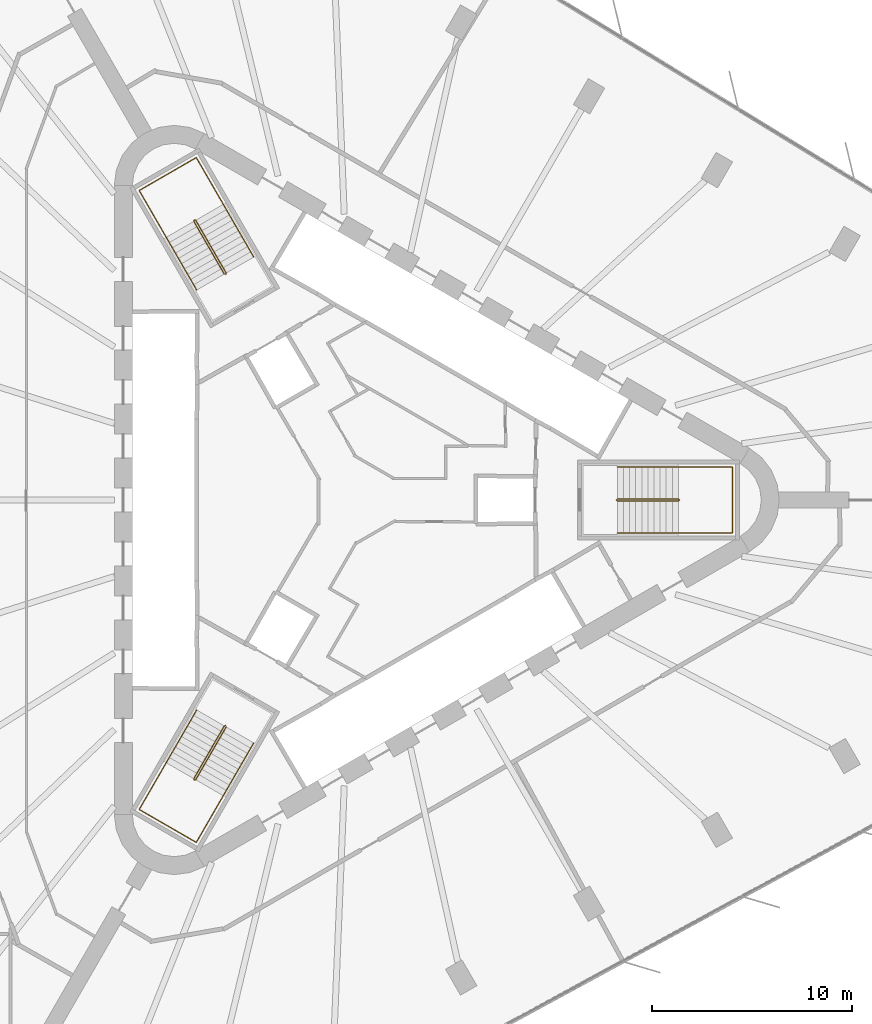
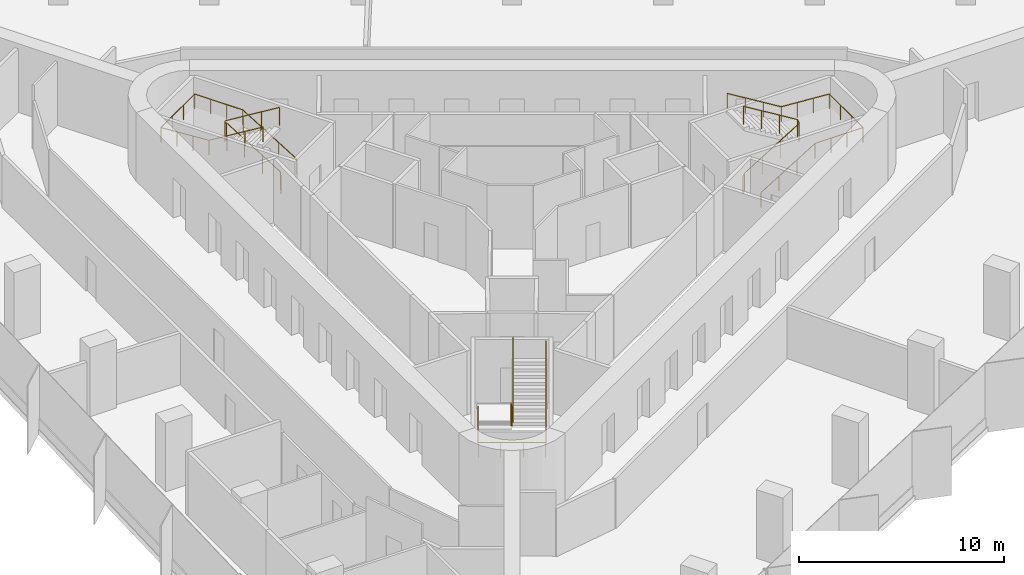
# One storey, part 13 of 13: 6 railings.
"""IFC4 building model written with IfcOpenShell, lengths in metres."""

from ifc_helpers import new_model, si_unit, direction, frame, origin, origin_2d, place, context, subcontext, project, spatial, circle, extrude, material, type_object, element, save


model = new_model("IFC4")

# Units and contexts
model_context = context("Model", 3, precision=1e-05, world=origin(), true_north=direction((0.0, 1.0)))
body_context = subcontext(model_context, "Body", "Model", "MODEL_VIEW")
ifc_project = project(units=[si_unit("LENGTHUNIT", "METRE"), si_unit("AREAUNIT", "SQUARE_METRE"), si_unit("VOLUMEUNIT", "CUBIC_METRE"), si_unit("PLANEANGLEUNIT", "RADIAN"), si_unit("MASSUNIT", "GRAM", prefix="KILO")], contexts=[model_context])

# Site, building, storey
site_placement = place(None, origin())
site = spatial("IfcSite", under=ifc_project, at=site_placement, CompositionType="ELEMENT")
building_placement = place(site_placement, origin())
building = spatial("IfcBuilding", under=site, at=building_placement, Name="Tanit Gate Tower", CompositionType="ELEMENT")
storey_placement = place(building_placement, frame((0.0, 0.0, 66.0)))
storey = spatial("IfcBuildingStorey", under=building, at=storey_placement, Name="L12", CompositionType="ELEMENT", Elevation=66.0)

# Railings
ifc_material_1 = material(Name="Stainless steel balustrade", Category="steel")
railing_type_1 = type_object("IfcRailingType", Name="INT-STAIR-GUARD", PredefinedType="GUARDRAIL", material=ifc_material_1)
railing_1_placement = place(storey_placement, frame((13.044921875, 0.0048828125, 0.0)))
element("IfcRailing", 1, at=railing_1_placement, inside=storey, type_object=railing_type_1, Name="L12 S1 stair guard 1", PredefinedType="GUARDRAIL", context=body_context, shape_type="SweptSolid", body=[
    extrude(circle(Radius=0.02392578125, at=origin_2d()), frame((0.0, 0.0, 1.076171875), z_axis=(0.0, -1.0, 0.0), x_axis=(1.0, 0.0, 0.0)), (0.0, 0.0, 1.0), 0.009765625),
    extrude(circle(Radius=0.02392578125, at=origin_2d()), frame((0.0, -0.009765625, 1.076171875), z_axis=(0.251157038772, -0.251157038772, 0.934794246747), x_axis=(0.707106781187, 0.707106781187, 0.0)), (0.0, 0.0, 1.0), 0.19921875),
    extrude(circle(Radius=0.02392578125, at=origin_2d()), frame((0.050048828125, -0.059814453125, 1.26220703125), z_axis=(0.853374658889, 0.0, 0.521298083217), x_axis=(0.0, 1.0, 0.0)), (0.0, 0.0, 1.0), 3.5751953125),
    extrude(circle(Radius=0.02392578125, at=origin_2d()), frame((3.10107421875, -0.059814453125, 3.1259765625), z_axis=(0.707106781187, 0.707106781187, 0.0), x_axis=(-0.707106781187, 0.707106781187, 0.0)), (0.0, 0.0, 1.0), 0.07080078125),
    extrude(circle(Radius=0.02392578125, at=origin_2d()), frame((3.151123046875, -0.009765625, 3.1259765625), z_axis=(0.0, 1.0, 0.0), x_axis=(-1.0, 0.0, 0.0)), (0.0, 0.0, 1.0), 0.009765625),
    extrude(circle(Radius=0.02392578125, at=origin_2d()), frame((3.151123046875, 0.0, 3.1259765625), z_axis=(-0.251157038772, 0.251157038772, 0.934794246747), x_axis=(-0.707106781187, -0.707106781187, 0.0)), (0.0, 0.0, 1.0), 0.19921875),
    extrude(circle(Radius=0.02392578125, at=origin_2d()), frame((3.10107421875, 0.050048828125, 3.3125), z_axis=(-0.853374658889, 0.0, 0.521298083217), x_axis=(0.0, -1.0, 0.0)), (0.0, 0.0, 1.0), 3.5751953125),
    extrude(circle(Radius=0.02099609375, at=origin_2d()), origin(), (0.0, 0.0, 1.0), 1.052001953125),
    extrude(circle(Radius=0.02099609375, at=origin_2d()), frame((0.0, -0.009765625, 0.0)), (0.0, 0.0, 1.0), 1.052001953125),
    extrude(circle(Radius=0.02099609375, at=origin_2d()), frame((0.050048828125, -0.059814453125, 0.186279296875)), (0.0, 0.0, 1.0), 1.052001953125),
    extrude(circle(Radius=0.02099609375, at=origin_2d()), frame((1.067138671875, -0.059814453125, 0.8076171875)), (0.0, 0.0, 1.0), 1.052001953125),
    extrude(circle(Radius=0.02099609375, at=origin_2d()), frame((2.083984375, -0.059814453125, 1.4287109375)), (0.0, 0.0, 1.0), 1.052001953125),
    extrude(circle(Radius=0.02099609375, at=origin_2d()), frame((3.10107421875, -0.059814453125, 2.050048828125)), (0.0, 0.0, 1.0), 1.052001953125),
    extrude(circle(Radius=0.02099609375, at=origin_2d()), frame((3.151123046875, -0.009765625, 2.050048828125)), (0.0, 0.0, 1.0), 1.052001953125),
    extrude(circle(Radius=0.02099609375, at=origin_2d()), frame((3.151123046875, 0.0, 2.050048828125)), (0.0, 0.0, 1.0), 1.052001953125),
    extrude(circle(Radius=0.02099609375, at=origin_2d()), frame((3.10107421875, 0.050048828125, 2.236328125)), (0.0, 0.0, 1.0), 1.052001953125),
    extrude(circle(Radius=0.02099609375, at=origin_2d()), frame((2.083984375, 0.050048828125, 2.857666015625)), (0.0, 0.0, 1.0), 1.052001953125),
    extrude(circle(Radius=0.02099609375, at=origin_2d()), frame((1.067138671875, 0.050048828125, 3.478759765625)), (0.0, 0.0, 1.0), 1.052001953125),
    extrude(circle(Radius=0.02099609375, at=origin_2d()), frame((0.050048828125, 0.050048828125, 4.10009765625)), (0.0, 0.0, 1.0), 1.052001953125),
])
railing_2_placement = place(storey_placement, frame((-6.527099609375, 11.29345703125, 0.0)))
element("IfcRailing", 2, at=railing_2_placement, inside=storey, type_object=railing_type_1, Name="L12 S2 stair guard 1", PredefinedType="GUARDRAIL", context=body_context, shape_type="SweptSolid", body=[
    extrude(circle(Radius=0.02392578125, at=origin_2d()), frame((0.0, 0.0, 1.076171875), z_axis=(0.868243142124, 0.496138938357, 0.0), x_axis=(-0.496138938357, 0.868243142124, 0.0)), (0.0, 0.0, 1.0), 0.01171875),
    extrude(circle(Radius=0.02392578125, at=origin_2d()), frame((0.01025390625, 0.005859375, 1.076171875), z_axis=(0.091888445584, 0.343050196848, 0.93481178641), x_axis=(-0.965948051503, 0.258736085224, 0.0)), (0.0, 0.0, 1.0), 0.19921875),
    extrude(circle(Radius=0.02392578125, at=origin_2d()), frame((0.028564453125, 0.07421875, 1.26220703125), z_axis=(-0.426636495959, 0.738911183393, 0.521528104107), x_axis=(-0.866012246495, -0.500022788402, 0.0)), (0.0, 0.0, 1.0), 3.57373046875),
    extrude(circle(Radius=0.02392578125, at=origin_2d()), frame((-1.49609375, 2.71484375, 3.1259765625), z_axis=(-0.965715946433, 0.259601060869, 0.0), x_axis=(-0.259601060869, -0.965715946433, 0.0)), (0.0, 0.0, 1.0), 0.070556640625),
    extrude(circle(Radius=0.02392578125, at=origin_2d()), frame((-1.564208984375, 2.733154296875, 3.1259765625), z_axis=(-0.873197702015, -0.487366159264, 0.0), x_axis=(0.487366159264, -0.873197702015, 0.0)), (0.0, 0.0, 1.0), 0.011962890625),
    extrude(circle(Radius=0.02392578125, at=origin_2d()), frame((-1.57470703125, 2.727294921875, 3.1259765625), z_axis=(-0.091888445584, -0.343050196848, 0.93481178641), x_axis=(0.965948051503, -0.258736085224, 0.0)), (0.0, 0.0, 1.0), 0.19921875),
    extrude(circle(Radius=0.02392578125, at=origin_2d()), frame((-1.593017578125, 2.658935546875, 3.3125), z_axis=(0.426636495959, -0.738911183393, 0.521528104107), x_axis=(0.866012246495, 0.500022788402, 0.0)), (0.0, 0.0, 1.0), 3.57373046875),
    extrude(circle(Radius=0.02099609375, at=origin_2d()), origin(), (0.0, 0.0, 1.0), 1.052001953125),
    extrude(circle(Radius=0.02099609375, at=origin_2d()), frame((0.01025390625, 0.005859375, 0.0)), (0.0, 0.0, 1.0), 1.052001953125),
    extrude(circle(Radius=0.02099609375, at=origin_2d()), frame((0.028564453125, 0.07421875, 0.186279296875)), (0.0, 0.0, 1.0), 1.052001953125),
    extrude(circle(Radius=0.02099609375, at=origin_2d()), frame((-0.479736328125, 0.954345703125, 0.8076171875)), (0.0, 0.0, 1.0), 1.052001953125),
    extrude(circle(Radius=0.02099609375, at=origin_2d()), frame((-0.98779296875, 1.834716796875, 1.4287109375)), (0.0, 0.0, 1.0), 1.052001953125),
    extrude(circle(Radius=0.02099609375, at=origin_2d()), frame((-1.49609375, 2.71484375, 2.050048828125)), (0.0, 0.0, 1.0), 1.052001953125),
    extrude(circle(Radius=0.02099609375, at=origin_2d()), frame((-1.564208984375, 2.733154296875, 2.050048828125)), (0.0, 0.0, 1.0), 1.052001953125),
    extrude(circle(Radius=0.02099609375, at=origin_2d()), frame((-1.57470703125, 2.727294921875, 2.050048828125)), (0.0, 0.0, 1.0), 1.052001953125),
    extrude(circle(Radius=0.02099609375, at=origin_2d()), frame((-1.593017578125, 2.658935546875, 2.236328125)), (0.0, 0.0, 1.0), 1.052001953125),
    extrude(circle(Radius=0.02099609375, at=origin_2d()), frame((-1.084716796875, 1.77880859375, 2.857666015625)), (0.0, 0.0, 1.0), 1.052001953125),
    extrude(circle(Radius=0.02099609375, at=origin_2d()), frame((-0.57666015625, 0.8984375, 3.478759765625)), (0.0, 0.0, 1.0), 1.052001953125),
    extrude(circle(Radius=0.02099609375, at=origin_2d()), frame((-0.068359375, 0.018310546875, 4.10009765625)), (0.0, 0.0, 1.0), 1.052001953125),
])
railing_3_placement = place(storey_placement, frame((-6.51806640625, -11.2998046875, 0.0)))
element("IfcRailing", 3, at=railing_3_placement, inside=storey, type_object=railing_type_1, Name="L12 S3 stair guard 1", PredefinedType="GUARDRAIL", context=body_context, shape_type="SweptSolid", body=[
    extrude(circle(Radius=0.02392578125, at=origin_2d()), frame((0.0, 0.0, 1.076171875), z_axis=(-0.874157276122, 0.485642931179, 0.0), x_axis=(-0.485642931179, -0.874157276122, 0.0)), (0.0, 0.0, 1.0), 0.010009765625),
    extrude(circle(Radius=0.02392578125, at=origin_2d()), frame((-0.0087890625, 0.0048828125, 1.076171875), z_axis=(-0.343088566343, -0.090673406819, 0.934916343285), x_axis=(0.255512919477, -0.966805641264, 0.0)), (0.0, 0.0, 1.0), 0.19921875),
    extrude(circle(Radius=0.02392578125, at=origin_2d()), frame((-0.0771484375, -0.01318359375, 1.26220703125), z_axis=(-0.42665336134, -0.739063593114, 0.52129829713), x_axis=(0.866048339477, -0.499960272111, 0.0)), (0.0, 0.0, 1.0), 3.5751953125),
    extrude(circle(Radius=0.02392578125, at=origin_2d()), frame((-1.6025390625, -2.655517578125, 3.1259765625), z_axis=(0.258736085224, -0.965948051503, 0.0), x_axis=(0.965948051503, 0.258736085224, 0.0)), (0.0, 0.0, 1.0), 0.07080078125),
    extrude(circle(Radius=0.02392578125, at=origin_2d()), frame((-1.584228515625, -2.723876953125, 3.1259765625), z_axis=(0.868243142124, -0.496138938357, 0.0), x_axis=(0.496138938357, 0.868243142124, 0.0)), (0.0, 0.0, 1.0), 0.009765625),
    extrude(circle(Radius=0.02392578125, at=origin_2d()), frame((-1.57568359375, -2.728759765625, 3.1259765625), z_axis=(0.343050196848, 0.091888445584, 0.93481178641), x_axis=(-0.258736085224, 0.965948051503, 0.0)), (0.0, 0.0, 1.0), 0.19921875),
    extrude(circle(Radius=0.02392578125, at=origin_2d()), frame((-1.50732421875, -2.71044921875, 3.3125), z_axis=(0.42673074944, 0.739011069041, 0.521309416102), x_axis=(-0.865993683553, 0.500054937028, 0.0)), (0.0, 0.0, 1.0), 3.5751953125),
    extrude(circle(Radius=0.02099609375, at=origin_2d()), origin(), (0.0, 0.0, 1.0), 1.052001953125),
    extrude(circle(Radius=0.02099609375, at=origin_2d()), frame((-0.0087890625, 0.0048828125, 0.0)), (0.0, 0.0, 1.0), 1.052001953125),
    extrude(circle(Radius=0.02099609375, at=origin_2d()), frame((-0.0771484375, -0.01318359375, 0.186279296875)), (0.0, 0.0, 1.0), 1.052001953125),
    extrude(circle(Radius=0.02099609375, at=origin_2d()), frame((-0.585693359375, -0.89404296875, 0.8076171875)), (0.0, 0.0, 1.0), 1.052001953125),
    extrude(circle(Radius=0.02099609375, at=origin_2d()), frame((-1.093994140625, -1.774658203125, 1.4287109375)), (0.0, 0.0, 1.0), 1.052001953125),
    extrude(circle(Radius=0.02099609375, at=origin_2d()), frame((-1.6025390625, -2.655517578125, 2.050048828125)), (0.0, 0.0, 1.0), 1.052001953125),
    extrude(circle(Radius=0.02099609375, at=origin_2d()), frame((-1.584228515625, -2.723876953125, 2.050048828125)), (0.0, 0.0, 1.0), 1.052001953125),
    extrude(circle(Radius=0.02099609375, at=origin_2d()), frame((-1.57568359375, -2.728759765625, 2.050048828125)), (0.0, 0.0, 1.0), 1.052001953125),
    extrude(circle(Radius=0.02099609375, at=origin_2d()), frame((-1.50732421875, -2.71044921875, 2.236328125)), (0.0, 0.0, 1.0), 1.052001953125),
    extrude(circle(Radius=0.02099609375, at=origin_2d()), frame((-0.998779296875, -1.829833984375, 2.857666015625)), (0.0, 0.0, 1.0), 1.052001953125),
    extrude(circle(Radius=0.02099609375, at=origin_2d()), frame((-0.490234375, -0.948974609375, 3.478759765625)), (0.0, 0.0, 1.0), 1.052001953125),
    extrude(circle(Radius=0.02099609375, at=origin_2d()), frame((0.018310546875, -0.068359375, 4.10009765625)), (0.0, 0.0, 1.0), 1.052001953125),
])
ifc_material_2 = material(Name="Stainless steel handrail", Category="steel")
railing_type_2 = type_object("IfcRailingType", Name="INT-STAIR-HANDRAIL", PredefinedType="HANDRAIL", material=ifc_material_2)
railing_4_placement = place(storey_placement, frame((13.094970703125, -1.64990234375, 0.186279296875)))
element("IfcRailing", 4, at=railing_4_placement, inside=storey, type_object=railing_type_2, Name="L12 S1 stair handrail 1", PredefinedType="HANDRAIL", context=body_context, shape_type="SweptSolid", body=[
    extrude(circle(Radius=0.02392578125, at=origin_2d()), frame((0.0, 0.0, 0.8759765625), z_axis=(0.853374658889, 0.0, 0.521298083217), x_axis=(0.0, 1.0, 0.0)), (0.0, 0.0, 1.0), 3.5751953125),
    extrude(circle(Radius=0.02392578125, at=origin_2d()), frame((3.051025390625, 0.0, 2.73974609375), z_axis=(1.0, 0.0, 0.0), x_axis=(0.0, 1.0, 0.0)), (0.0, 0.0, 1.0), 2.7041015625),
    extrude(circle(Radius=0.02392578125, at=origin_2d()), frame((5.755126953125, 0.0, 2.73974609375), z_axis=(0.0, 1.0, 0.0), x_axis=(-1.0, 0.0, 0.0)), (0.0, 0.0, 1.0), 3.2998046875),
    extrude(circle(Radius=0.02392578125, at=origin_2d()), frame((5.755126953125, 3.2998046875, 2.73974609375), z_axis=(-0.997635655124, 0.0, 0.06872481084), x_axis=(0.0, -1.0, 0.0)), (0.0, 0.0, 1.0), 2.71044921875),
    extrude(circle(Radius=0.02392578125, at=origin_2d()), frame((3.051025390625, 3.2998046875, 2.92578125), z_axis=(-0.853374658889, 0.0, 0.521298083217), x_axis=(0.0, -1.0, 0.0)), (0.0, 0.0, 1.0), 3.5751953125),
    extrude(circle(Radius=0.02099609375, at=origin_2d()), origin(), (0.0, 0.0, 1.0), 0.851806640625),
    extrude(circle(Radius=0.02099609375, at=origin_2d()), frame((1.01708984375, 0.0, 0.621337890625)), (0.0, 0.0, 1.0), 0.851806640625),
    extrude(circle(Radius=0.02099609375, at=origin_2d()), frame((2.033935546875, 0.0, 1.242431640625)), (0.0, 0.0, 1.0), 0.851806640625),
    extrude(circle(Radius=0.02099609375, at=origin_2d()), frame((3.051025390625, 0.0, 1.86376953125)), (0.0, 0.0, 1.0), 0.851806640625),
    extrude(circle(Radius=0.02099609375, at=origin_2d()), frame((3.952392578125, 0.0, 1.86376953125)), (0.0, 0.0, 1.0), 0.851806640625),
    extrude(circle(Radius=0.02099609375, at=origin_2d()), frame((4.853759765625, 0.0, 1.86376953125)), (0.0, 0.0, 1.0), 0.851806640625),
    extrude(circle(Radius=0.02099609375, at=origin_2d()), frame((5.755126953125, 0.0, 1.86376953125)), (0.0, 0.0, 1.0), 0.851806640625),
    extrude(circle(Radius=0.02099609375, at=origin_2d()), frame((5.755126953125, 1.099853515625, 1.86376953125)), (0.0, 0.0, 1.0), 0.851806640625),
    extrude(circle(Radius=0.02099609375, at=origin_2d()), frame((5.755126953125, 2.199951171875, 1.86376953125)), (0.0, 0.0, 1.0), 0.851806640625),
    extrude(circle(Radius=0.02099609375, at=origin_2d()), frame((5.755126953125, 3.2998046875, 1.86376953125)), (0.0, 0.0, 1.0), 0.851806640625),
    extrude(circle(Radius=0.02099609375, at=origin_2d()), frame((4.853759765625, 3.2998046875, 1.92578125)), (0.0, 0.0, 1.0), 0.851806640625),
    extrude(circle(Radius=0.02099609375, at=origin_2d()), frame((3.952392578125, 3.2998046875, 1.988037109375)), (0.0, 0.0, 1.0), 0.851806640625),
    extrude(circle(Radius=0.02099609375, at=origin_2d()), frame((3.051025390625, 3.2998046875, 2.050048828125)), (0.0, 0.0, 1.0), 0.851806640625),
    extrude(circle(Radius=0.02099609375, at=origin_2d()), frame((2.033935546875, 3.2998046875, 2.67138671875)), (0.0, 0.0, 1.0), 0.851806640625),
    extrude(circle(Radius=0.02099609375, at=origin_2d()), frame((1.01708984375, 3.2998046875, 3.29248046875)), (0.0, 0.0, 1.0), 0.851806640625),
    extrude(circle(Radius=0.02099609375, at=origin_2d()), frame((0.0, 3.2998046875, 3.913818359375)), (0.0, 0.0, 1.0), 0.851806640625),
])
railing_5_placement = place(storey_placement, frame((-5.1181640625, 12.164794921875, 0.186279296875)))
element("IfcRailing", 5, at=railing_5_placement, inside=storey, type_object=railing_type_2, Name="L12 S2 stair handrail 1", PredefinedType="HANDRAIL", context=body_context, shape_type="SweptSolid", body=[
    extrude(circle(Radius=0.02392578125, at=origin_2d()), frame((0.0, 0.0, 0.8759765625), z_axis=(-0.426580611902, 0.738932719144, 0.521543304174), x_axis=(-0.866046917185, -0.499962735845, 0.0)), (0.0, 0.0, 1.0), 3.573486328125),
    extrude(circle(Radius=0.02392578125, at=origin_2d()), frame((-1.5244140625, 2.640625, 2.73974609375), z_axis=(-0.500019123664, 0.86601436245, 0.0), x_axis=(-0.86601436245, -0.500019123664, 0.0)), (0.0, 0.0, 1.0), 2.70703125),
    extrude(circle(Radius=0.02392578125, at=origin_2d()), frame((-2.8779296875, 4.98486328125, 2.73974609375), z_axis=(-0.866008176907, -0.50002983664, 0.0), x_axis=(0.50002983664, -0.866008176907, 0.0)), (0.0, 0.0, 1.0), 3.300048828125),
    extrude(circle(Radius=0.02392578125, at=origin_2d()), frame((-5.73583984375, 3.334716796875, 2.73974609375), z_axis=(0.498878146149, -0.863948246966, 0.06865873476), x_axis=(0.865991810323, 0.500058181068, 0.0)), (0.0, 0.0, 1.0), 2.713134765625),
    extrude(circle(Radius=0.02392578125, at=origin_2d()), frame((-4.38232421875, 0.99072265625, 2.92578125), z_axis=(0.42661496006, -0.738942197433, 0.521501778238), x_axis=(0.866032263162, 0.499988119021, 0.0)), (0.0, 0.0, 1.0), 3.57373046875),
    extrude(circle(Radius=0.02099609375, at=origin_2d()), origin(), (0.0, 0.0, 1.0), 0.851806640625),
    extrude(circle(Radius=0.02099609375, at=origin_2d()), frame((-0.508056640625, 0.880126953125, 0.621337890625)), (0.0, 0.0, 1.0), 0.851806640625),
    extrude(circle(Radius=0.02099609375, at=origin_2d()), frame((-1.016357421875, 1.760498046875, 1.242431640625)), (0.0, 0.0, 1.0), 0.851806640625),
    extrude(circle(Radius=0.02099609375, at=origin_2d()), frame((-1.5244140625, 2.640625, 1.86376953125)), (0.0, 0.0, 1.0), 0.851806640625),
    extrude(circle(Radius=0.02099609375, at=origin_2d()), frame((-1.9755859375, 3.422119140625, 1.86376953125)), (0.0, 0.0, 1.0), 0.851806640625),
    extrude(circle(Radius=0.02099609375, at=origin_2d()), frame((-2.4267578125, 4.203369140625, 1.86376953125)), (0.0, 0.0, 1.0), 0.851806640625),
    extrude(circle(Radius=0.02099609375, at=origin_2d()), frame((-2.8779296875, 4.98486328125, 1.86376953125)), (0.0, 0.0, 1.0), 0.851806640625),
    extrude(circle(Radius=0.02099609375, at=origin_2d()), frame((-3.83056640625, 4.434814453125, 1.86376953125)), (0.0, 0.0, 1.0), 0.851806640625),
    extrude(circle(Radius=0.02099609375, at=origin_2d()), frame((-4.783203125, 3.884765625, 1.86376953125)), (0.0, 0.0, 1.0), 0.851806640625),
    extrude(circle(Radius=0.02099609375, at=origin_2d()), frame((-5.73583984375, 3.334716796875, 1.86376953125)), (0.0, 0.0, 1.0), 0.851806640625),
    extrude(circle(Radius=0.02099609375, at=origin_2d()), frame((-5.28466796875, 2.553466796875, 1.92578125)), (0.0, 0.0, 1.0), 0.851806640625),
    extrude(circle(Radius=0.02099609375, at=origin_2d()), frame((-4.83349609375, 1.77197265625, 1.988037109375)), (0.0, 0.0, 1.0), 0.851806640625),
    extrude(circle(Radius=0.02099609375, at=origin_2d()), frame((-4.38232421875, 0.99072265625, 2.050048828125)), (0.0, 0.0, 1.0), 0.851806640625),
    extrude(circle(Radius=0.02099609375, at=origin_2d()), frame((-3.8740234375, 0.1103515625, 2.67138671875)), (0.0, 0.0, 1.0), 0.851806640625),
    extrude(circle(Radius=0.02099609375, at=origin_2d()), frame((-3.365966796875, -0.769775390625, 3.29248046875)), (0.0, 0.0, 1.0), 0.851806640625),
    extrude(circle(Radius=0.02099609375, at=origin_2d()), frame((-2.857666015625, -1.650146484375, 3.913818359375)), (0.0, 0.0, 1.0), 0.851806640625),
])
railing_6_placement = place(storey_placement, frame((-7.9765625, -10.515625, 0.186279296875)))
element("IfcRailing", 6, at=railing_6_placement, inside=storey, type_object=railing_type_2, Name="L12 S3 stair handrail 1", PredefinedType="HANDRAIL", context=body_context, shape_type="SweptSolid", body=[
    extrude(circle(Radius=0.02392578125, at=origin_2d()), frame((0.0, 0.0, 0.8759765625), z_axis=(-0.42665336134, -0.739063593114, 0.52129829713), x_axis=(0.866048339477, -0.499960272111, 0.0)), (0.0, 0.0, 1.0), 3.5751953125),
    extrude(circle(Radius=0.02392578125, at=origin_2d()), frame((-1.525390625, -2.642333984375, 2.73974609375), z_axis=(-0.50004290449, -0.866000631449, 0.0), x_axis=(0.866000631449, -0.50004290449, 0.0)), (0.0, 0.0, 1.0), 2.703857421875),
    extrude(circle(Radius=0.02392578125, at=origin_2d()), frame((-2.87744140625, -4.98388671875, 2.73974609375), z_axis=(0.866008176907, -0.50002983664, 0.0), x_axis=(0.50002983664, 0.866008176907, 0.0)), (0.0, 0.0, 1.0), 3.300048828125),
    extrude(circle(Radius=0.02392578125, at=origin_2d()), frame((-0.01953125, -6.634033203125, 2.73974609375), z_axis=(0.498821607388, 0.86397559734, 0.068725331607), x_axis=(-0.866023205937, 0.500003806764, 0.0)), (0.0, 0.0, 1.0), 2.71044921875),
    extrude(circle(Radius=0.02392578125, at=origin_2d()), frame((1.33251953125, -4.292236328125, 2.92578125), z_axis=(0.42665336134, 0.739063593114, 0.52129829713), x_axis=(-0.866048339477, 0.499960272111, 0.0)), (0.0, 0.0, 1.0), 3.5751953125),
    extrude(circle(Radius=0.02099609375, at=origin_2d()), origin(), (0.0, 0.0, 1.0), 0.851806640625),
    extrude(circle(Radius=0.02099609375, at=origin_2d()), frame((-0.508544921875, -0.880859375, 0.621337890625)), (0.0, 0.0, 1.0), 0.851806640625),
    extrude(circle(Radius=0.02099609375, at=origin_2d()), frame((-1.016845703125, -1.761474609375, 1.242431640625)), (0.0, 0.0, 1.0), 0.851806640625),
    extrude(circle(Radius=0.02099609375, at=origin_2d()), frame((-1.525390625, -2.642333984375, 1.86376953125)), (0.0, 0.0, 1.0), 0.851806640625),
    extrude(circle(Radius=0.02099609375, at=origin_2d()), frame((-1.97607421875, -3.4228515625, 1.86376953125)), (0.0, 0.0, 1.0), 0.851806640625),
    extrude(circle(Radius=0.02099609375, at=origin_2d()), frame((-2.4267578125, -4.203369140625, 1.86376953125)), (0.0, 0.0, 1.0), 0.851806640625),
    extrude(circle(Radius=0.02099609375, at=origin_2d()), frame((-2.87744140625, -4.98388671875, 1.86376953125)), (0.0, 0.0, 1.0), 0.851806640625),
    extrude(circle(Radius=0.02099609375, at=origin_2d()), frame((-1.9248046875, -5.533935546875, 1.86376953125)), (0.0, 0.0, 1.0), 0.851806640625),
    extrude(circle(Radius=0.02099609375, at=origin_2d()), frame((-0.97216796875, -6.083984375, 1.86376953125)), (0.0, 0.0, 1.0), 0.851806640625),
    extrude(circle(Radius=0.02099609375, at=origin_2d()), frame((-0.01953125, -6.634033203125, 1.86376953125)), (0.0, 0.0, 1.0), 0.851806640625),
    extrude(circle(Radius=0.02099609375, at=origin_2d()), frame((0.43115234375, -5.853515625, 1.92578125)), (0.0, 0.0, 1.0), 0.851806640625),
    extrude(circle(Radius=0.02099609375, at=origin_2d()), frame((0.8818359375, -5.07275390625, 1.988037109375)), (0.0, 0.0, 1.0), 0.851806640625),
    extrude(circle(Radius=0.02099609375, at=origin_2d()), frame((1.33251953125, -4.292236328125, 2.050048828125)), (0.0, 0.0, 1.0), 0.851806640625),
    extrude(circle(Radius=0.02099609375, at=origin_2d()), frame((1.841064453125, -3.411376953125, 2.67138671875)), (0.0, 0.0, 1.0), 0.851806640625),
    extrude(circle(Radius=0.02099609375, at=origin_2d()), frame((2.349365234375, -2.53076171875, 3.29248046875)), (0.0, 0.0, 1.0), 0.851806640625),
    extrude(circle(Radius=0.02099609375, at=origin_2d()), frame((2.85791015625, -1.64990234375, 3.913818359375)), (0.0, 0.0, 1.0), 0.851806640625),
])

save(model, "model.ifc")
